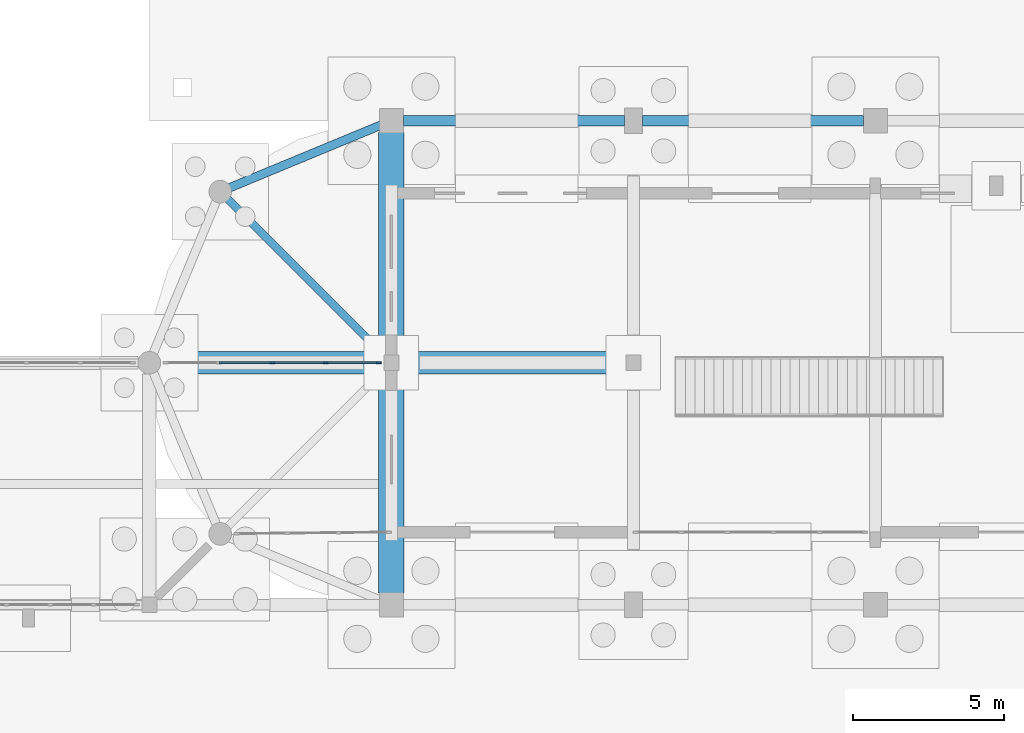
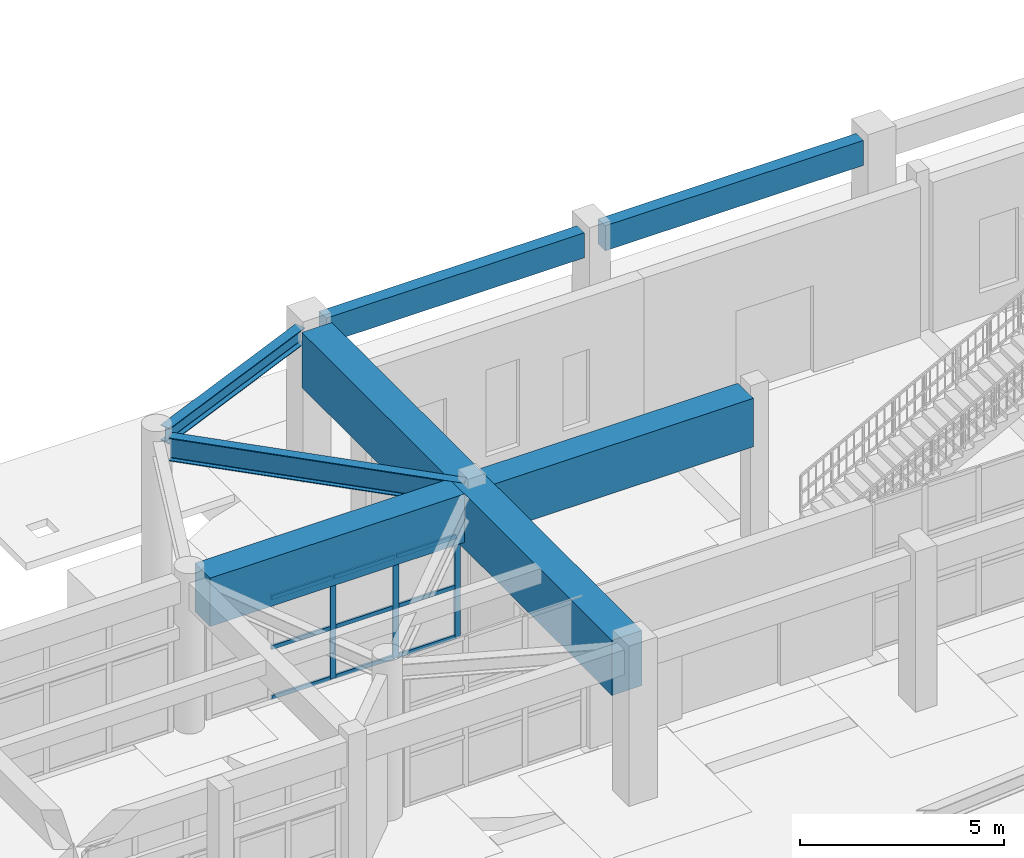
# One storey, part 28 of 68: 12 members, 6 beams, 1 element without a shape of its own.
"""IFC4 building model written with IfcOpenShell, lengths in metres."""

import ifcopenshell
import ifcopenshell.guid

model = None  # the IFC model being written
_history = None  # IfcOwnerHistory: only IFC2X3 demands one
_inside = {}  # id of a spatial element -> (the spatial element, [elements in it])
_under = {}  # id of a project, library or spatial element -> (it, [spatial elements below it])
_declared = {}  # id of a project -> (the project, [libraries it declares])
_typed = {}  # id of a type object -> (the type object, [elements of that type])
_made_of = {}  # id of a material, layer set ... -> (it, [elements and type objects made of it])


def new_model(schema):
    """Start an empty IFC model of exactly this schema.

    Asked for "IFC4X3", IfcOpenShell would pick the latest addendum, in which some entities
    have other attributes; the version numbers below select the first issue.
    IFC2X3 requires an IfcOwnerHistory on every rooted entity: one is made here for all.
    """
    global model, _history
    if schema == "IFC4X3":
        model = ifcopenshell.file(schema_version=(4, 3, 0, 0))
    else:
        model = ifcopenshell.file(schema=schema)
    _inside.clear()
    _under.clear()
    _declared.clear()
    _typed.clear()
    _made_of.clear()
    _history = None
    if model.schema == "IFC2X3":
        org = make("IfcOrganization", Name="unknown")
        user = make(
            "IfcPersonAndOrganization",
            ThePerson=make("IfcPerson", FamilyName="unknown"),
            TheOrganization=org,
        )
        app = make(
            "IfcApplication",
            ApplicationDeveloper=org,
            Version="unknown",
            ApplicationFullName="unknown",
            ApplicationIdentifier="unknown",
        )
        _history = make(
            "IfcOwnerHistory",
            OwningUser=user,
            OwningApplication=app,
            ChangeAction="ADDED",
            CreationDate=0,
        )
    return model


def make(cls, **values):
    """One entity of the class cls with the attributes given. An attribute that is None is left unset."""
    return model.create_entity(
        cls, **{name: value for name, value in values.items() if value is not None}
    )


def rooted(cls, **values):
    """An entity with a GlobalId (a new one), such as an element, a storey or a relation."""
    return make(cls, GlobalId=ifcopenshell.guid.new(), OwnerHistory=_history, **values)


def si_unit(unit_type, name, prefix=None):
    """IfcSIUnit, for example si_unit("LENGTHUNIT", "METRE", prefix="MILLI")."""
    return make("IfcSIUnit", UnitType=unit_type, Prefix=prefix, Name=name)


def assignment(units):
    """IfcUnitAssignment: the units of a project."""
    return None if units is None else make("IfcUnitAssignment", Units=units)


def point(xyz):
    """IfcCartesianPoint."""
    return None if xyz is None else make("IfcCartesianPoint", Coordinates=xyz)


def direction(xyz):
    """IfcDirection."""
    return None if xyz is None else make("IfcDirection", DirectionRatios=xyz)


def frame(location, z_axis=None, x_axis=None):
    """IfcAxis2Placement3D, a coordinate frame: its origin and axes. An axis left out is left unset."""
    return make(
        "IfcAxis2Placement3D",
        Location=point(location),
        Axis=direction(z_axis),
        RefDirection=direction(x_axis),
    )


def frame_2d(location, x_axis=None):
    """IfcAxis2Placement2D, a coordinate frame in the plane: its origin and x axis."""
    return make(
        "IfcAxis2Placement2D", Location=point(location), RefDirection=direction(x_axis)
    )


def origin():
    """The frame at (0, 0, 0) with its axes left unset."""
    return frame((0.0, 0.0, 0.0))


def origin_2d():
    """The frame at (0, 0) in the plane with its x axis left unset."""
    return frame_2d((0.0, 0.0))


def place(relative_to, where):
    """IfcLocalPlacement: puts the frame where relative to a parent placement (None: the world)."""
    return make(
        "IfcLocalPlacement", PlacementRelTo=relative_to, RelativePlacement=where
    )


def context(
    kind, dimensions, precision=None, world=None, true_north=None, identifier=None
):
    """IfcGeometricRepresentationContext, for example the 3D "Model" context."""
    return make(
        "IfcGeometricRepresentationContext",
        ContextIdentifier=identifier,
        ContextType=kind,
        CoordinateSpaceDimension=dimensions,
        Precision=precision,
        WorldCoordinateSystem=world,
        TrueNorth=true_north,
    )


def subcontext(parent, identifier, kind, view, scale=None):
    """IfcGeometricRepresentationSubContext, for example "Body" below "Model"."""
    return make(
        "IfcGeometricRepresentationSubContext",
        ContextIdentifier=identifier,
        ContextType=kind,
        ParentContext=parent,
        TargetScale=scale,
        TargetView=view,
    )


def project(units=None, contexts=None):
    """IfcProject with its units and contexts."""
    return rooted(
        "IfcProject",
        Name="project",
        RepresentationContexts=contexts,
        UnitsInContext=assignment(units),
    )


def spatial(cls, under=None, at=None, **own):
    """A site, building, storey or space (cls), placed at a placement, below another one or the project."""
    s = rooted(cls, ObjectPlacement=at, **own)
    if under is not None:
        _under.setdefault(under.id(), (under, []))[1].append(s)
    return s


def profile(cls, at=None, kind="AREA", **sizes):
    """A parametric profile (cls). Its sizes go by their IFC names, for example OverallWidth=200.0."""
    return make(cls, ProfileType=kind, Position=at, **sizes)


def rectangle(**sizes):
    """IfcRectangleProfileDef."""
    return profile("IfcRectangleProfileDef", **sizes)


def i_section(**sizes):
    """IfcIShapeProfileDef."""
    return profile("IfcIShapeProfileDef", **sizes)


def extrude(swept, where, along, depth):
    """IfcExtrudedAreaSolid: the profile swept, set in the frame where, extruded along a direction by depth."""
    return make(
        "IfcExtrudedAreaSolid",
        SweptArea=swept,
        Position=where,
        ExtrudedDirection=direction(along),
        Depth=depth,
    )


def shape(context_of_items, identifier, shape_type, items):
    """IfcShapeRepresentation: the items that make up one representation, for example the "Body"."""
    return make(
        "IfcShapeRepresentation",
        ContextOfItems=context_of_items,
        RepresentationIdentifier=identifier,
        RepresentationType=shape_type,
        Items=items,
    )


def material(Name=None, Category=None):
    """IfcMaterial."""
    return make("IfcMaterial", Name=Name, Category=Category)


def material_profile(
    of_material, cross_section, Name=None, Category=None, Priority=None
):
    """IfcMaterialProfile: a cross section and its material."""
    return make(
        "IfcMaterialProfile",
        Name=Name,
        Material=of_material,
        Profile=cross_section,
        Priority=Priority,
        Category=Category,
    )


def profile_set(profiles, Name=None, composite=None):
    """IfcMaterialProfileSet."""
    return make(
        "IfcMaterialProfileSet",
        Name=Name,
        MaterialProfiles=profiles,
        CompositeProfile=composite,
    )


def made_of(thing, what):
    """Note that an element or type object is made of a material, layer set ...; save() writes the relation."""
    if what is not None:
        _made_of.setdefault(what.id(), (what, []))[1].append(thing)
    return thing


def type_object(cls, material=None, **own):
    """A type object (cls), such as IfcWallType, which elements share."""
    return made_of(rooted(cls, **own), material)


def element(
    cls,
    number,
    at=None,
    inside=None,
    cuts=None,
    type_object=None,
    material=None,
    context=None,
    identifier="Body",
    shape_type=None,
    held_by="IfcProductDefinitionShape",
    body=None,
    shapes=None,
    **own,
):
    """One element of the class cls, such as IfcWall. Its Tag is "e" and its number.

    at: its placement. inside: the storey or other place that contains it. cuts: it is an
    opening in that element (IfcRelVoidsElement). A single representation is given by context,
    identifier, shape_type and body (its items); several are given by shapes. held_by: the class
    of the entity that holds the representations. save() writes the other relations.
    """
    e = rooted(cls, Tag="e%d" % number, ObjectPlacement=at, **own)
    if body is not None:
        shapes = [shape(context, identifier, shape_type, body)]
    if shapes is not None:
        e.Representation = make(held_by, Representations=shapes)
    if inside is not None:
        _inside.setdefault(inside.id(), (inside, []))[1].append(e)
    if cuts is not None:
        rooted(
            "IfcRelVoidsElement", RelatingBuildingElement=cuts, RelatedOpeningElement=e
        )
    if type_object is not None:
        _typed.setdefault(type_object.id(), (type_object, []))[1].append(e)
    return made_of(e, material)


def aggregate(whole, parts):
    """IfcRelAggregates: a whole, such as a stair, and the parts it consists of."""
    return rooted("IfcRelAggregates", RelatingObject=whole, RelatedObjects=parts)


def save(model, path):
    """Write the relations noted so far, then the file.

    IfcRelAggregates (storeys below a building ...), IfcRelContainedInSpatialStructure (elements
    in a storey), IfcRelDefinesByType, IfcRelAssociatesMaterial and IfcRelDeclares: one each for
    every whole, place, type object, material and project.
    """
    for whole, parts in _under.values():
        aggregate(whole, parts)
    for where, things in _inside.values():
        rooted(
            "IfcRelContainedInSpatialStructure",
            RelatedElements=things,
            RelatingStructure=where,
        )
    for kind, things in _typed.values():
        rooted("IfcRelDefinesByType", RelatedObjects=things, RelatingType=kind)
    for what, things in _made_of.values():
        rooted("IfcRelAssociatesMaterial", RelatedObjects=things, RelatingMaterial=what)
    for by, libraries in _declared.values():
        rooted("IfcRelDeclares", RelatingContext=by, RelatedDefinitions=libraries)
    model.write(path)


model = new_model("IFC4")

# Units and contexts
model_context = context("Model", 3, precision=1e-05, world=origin(), true_north=direction((0.0, 1.0)))
body_context = subcontext(model_context, "Body", "Model", "MODEL_VIEW")
ifc_project = project(units=[si_unit("LENGTHUNIT", "METRE"), si_unit("AREAUNIT", "SQUARE_METRE"), si_unit("VOLUMEUNIT", "CUBIC_METRE"), si_unit("PLANEANGLEUNIT", "RADIAN"), si_unit("MASSUNIT", "GRAM", prefix="KILO")], contexts=[model_context])

# Site, building, storey
site_placement = place(None, origin())
site = spatial("IfcSite", under=ifc_project, at=site_placement, CompositionType="ELEMENT")
building_placement = place(site_placement, origin())
building = spatial("IfcBuilding", under=site, at=building_placement, Name="Serraluz Foothill Cableway Terminal", CompositionType="ELEMENT")
storey_placement = place(building_placement, origin())
storey = spatial("IfcBuildingStorey", under=building, at=storey_placement, Name="L00", CompositionType="ELEMENT", Elevation=0.0)

# Beams
ifc_material_1 = material(Name="Concrete C35/45 (f'c 35 MPa)", Category="concrete")
ifc_material_profile_1 = material_profile(ifc_material_1, rectangle(XDim=0.75, YDim=1.449951171875, at=origin_2d()), Name="RC TG 750x1450")
ifc_profile_set_1 = profile_set([ifc_material_profile_1], Name="Concrete C35/45 (f'c 35 MPa)")
beam_type_1 = type_object("IfcBeamType", Name="TYP-BM-RCTG1450", PredefinedType="BEAM", material=ifc_profile_set_1)
beam_1_placement = place(storey_placement, frame((32.37109375, 64.0, 3.77490234375), z_axis=(1.0, 0.0, 0.0), x_axis=(0.0, 1.0, 0.0)))
element("IfcBeam", 1, at=beam_1_placement, inside=storey, type_object=beam_type_1, Name="Primary Girder BM-X-L00-0080", PredefinedType="BEAM", context=body_context, shape_type="SweptSolid", body=[
    extrude(rectangle(XDim=0.75, YDim=1.449951171875, at=origin_2d()), origin(), (0.0, 0.0, 1.0), 15.3828125),
])
ifc_material_profile_2 = material_profile(ifc_material_1, rectangle(XDim=0.85009765625, YDim=1.64990234375, at=origin_2d()), Name="RC TG 850x1650")
ifc_profile_set_2 = profile_set([ifc_material_profile_2], Name="Concrete C35/45 (f'c 35 MPa)")
beam_type_2 = type_object("IfcBeamType", Name="TYP-BM-RCTG1650", PredefinedType="BEAM", material=ifc_profile_set_2)
beam_2_placement = place(storey_placement, frame((40.0, 56.39599609375, 3.675048828125), z_axis=(0.0, 1.0, 0.0), x_axis=(-1.0, 0.0, 0.0)))
element("IfcBeam", 2, at=beam_2_placement, inside=storey, type_object=beam_type_2, Name="Transverse Girder BM-Y-L00-0129", PredefinedType="BEAM", context=body_context, shape_type="SweptSolid", body=[
    extrude(rectangle(XDim=0.85009765625, YDim=1.64990234375, at=origin_2d()), origin(), (0.0, 0.0, 1.0), 15.2080078125),
])
ifc_material_2 = material(Name="Steel ASTM A992 Grade 50", Category="steel")
ifc_material_profile_3 = material_profile(ifc_material_2, i_section(OverallWidth=0.256103515625, OverallDepth=0.693115234375, WebThickness=0.014404296875, FlangeThickness=0.023681640625, FilletRadius=0.02001953125, at=origin_2d()), Name="W27X114")
ifc_profile_set_3 = profile_set([ifc_material_profile_3], Name="Steel ASTM A992 Grade 50")
beam_type_3 = type_object("IfcBeamType", Name="TYP-BM-W27X114", PredefinedType="BEAM", material=ifc_profile_set_3)
beam_3_placement = place(storey_placement, frame((39.886962890625, 64.113037109375, 4.153564453125), z_axis=(-0.707106781187, 0.707106781187, 0.0), x_axis=(-0.707106781187, -0.707106781187, 0.0)))
element("IfcBeam", 3, at=beam_3_placement, inside=storey, type_object=beam_type_3, Name="Radial Station Deck Girder W-L00-2", PredefinedType="BEAM", context=body_context, shape_type="SweptSolid", body=[
    extrude(i_section(OverallWidth=0.256103515625, OverallDepth=0.693115234375, WebThickness=0.014404296875, FlangeThickness=0.023681640625, FilletRadius=0.02001953125, at=origin_2d()), origin(), (0.0, 0.0, 1.0), 7.500244140625),
])

# Curtain wall, members
ifc_material_3 = material(Name="Architectural bronze alloy C28000", Category="aluminium")
curtain_wall_type = type_object("IfcCurtainWallType", Name="TYP-CW-710X420", PredefinedType="NOTDEFINED", material=ifc_material_3)
curtain_wall_placement = place(storey_placement, origin())
curtain_wall = element("IfcCurtainWall", 4, at=curtain_wall_placement, inside=storey, type_object=curtain_wall_type, Name="Ribbed Glazed Curtain Wall CW-WLN-L00-32", PredefinedType="NOTDEFINED")
ifc_material_profile_4 = material_profile(ifc_material_3, rectangle(XDim=0.06005859375, YDim=0.159912109375, at=origin_2d()), Name="ALU MULLION 60x160")
ifc_profile_set_4 = profile_set([ifc_material_profile_4], Name="Architectural bronze alloy C28000")
member_type_1 = type_object("IfcMemberType", Name="TYP-CW-MUL-60X160", PredefinedType="MULLION", material=ifc_profile_set_4)
member_1_placement = place(storey_placement, frame((36.0625, 64.0, 0.0), z_axis=(0.0, 0.0, 1.0), x_axis=(0.0, 1.0, 0.0)))
member_1 = element("IfcMember", 5, at=member_1_placement, type_object=member_type_1, Name="CW-01 mullion 3", PredefinedType="MULLION", context=body_context, shape_type="SweptSolid", body=[
    extrude(rectangle(XDim=0.06005859375, YDim=0.159912109375, at=origin_2d()), origin(), (0.0, 0.0, 1.0), 3.050048828125),
])
member_2_placement = place(storey_placement, frame((37.836181640625, 64.0, 0.0), z_axis=(0.0, 0.0, 1.0), x_axis=(0.0, 1.0, 0.0)))
member_2 = element("IfcMember", 6, at=member_2_placement, type_object=member_type_1, Name="CW-01 mullion 4", PredefinedType="MULLION", context=body_context, shape_type="SweptSolid", body=[
    extrude(rectangle(XDim=0.06005859375, YDim=0.159912109375, at=origin_2d()), origin(), (0.0, 0.0, 1.0), 3.050048828125),
])
member_3_placement = place(storey_placement, frame((39.580078125, 64.0, 0.0), z_axis=(0.0, 0.0, 1.0), x_axis=(0.0, 1.0, 0.0)))
member_3 = element("IfcMember", 7, at=member_3_placement, type_object=member_type_1, Name="CW-01 mullion 5", PredefinedType="MULLION", context=body_context, shape_type="SweptSolid", body=[
    extrude(rectangle(XDim=0.06005859375, YDim=0.159912109375, at=origin_2d()), origin(), (0.0, 0.0, 1.0), 3.050048828125),
])
ifc_material_profile_5 = material_profile(ifc_material_3, rectangle(XDim=0.06005859375, YDim=0.1201171875, at=origin_2d()), Name="ALU TRANSOM 60x120")
ifc_profile_set_5 = profile_set([ifc_material_profile_5], Name="Architectural bronze alloy C28000")
member_type_2 = type_object("IfcMemberType", Name="TYP-CW-TRN-60X120", PredefinedType="USERDEFINED", material=ifc_profile_set_5)
member_4_placement = place(storey_placement, frame((34.31884765625, 64.0, 0.030029296875), z_axis=(1.0, 0.0, 0.0), x_axis=(0.0, 1.0, 0.0)))
member_4 = element("IfcMember", 8, at=member_4_placement, type_object=member_type_2, Name="CW-01 transom 2.1", ObjectType="TRANSOM", PredefinedType="USERDEFINED", context=body_context, shape_type="SweptSolid", body=[
    extrude(rectangle(XDim=0.06005859375, YDim=0.1201171875, at=origin_2d()), origin(), (0.0, 0.0, 1.0), 1.713623046875),
])
member_5_placement = place(storey_placement, frame((34.31884765625, 64.0, 1.52490234375), z_axis=(1.0, 0.0, 0.0), x_axis=(0.0, 1.0, 0.0)))
member_5 = element("IfcMember", 9, at=member_5_placement, type_object=member_type_2, Name="CW-01 transom 2.2", ObjectType="TRANSOM", PredefinedType="USERDEFINED", context=body_context, shape_type="SweptSolid", body=[
    extrude(rectangle(XDim=0.06005859375, YDim=0.1201171875, at=origin_2d()), origin(), (0.0, 0.0, 1.0), 1.713623046875),
])
member_6_placement = place(storey_placement, frame((34.31884765625, 64.0, 3.02001953125), z_axis=(1.0, 0.0, 0.0), x_axis=(0.0, 1.0, 0.0)))
member_6 = element("IfcMember", 10, at=member_6_placement, type_object=member_type_2, Name="CW-01 transom 2.3", ObjectType="TRANSOM", PredefinedType="USERDEFINED", context=body_context, shape_type="SweptSolid", body=[
    extrude(rectangle(XDim=0.06005859375, YDim=0.1201171875, at=origin_2d()), origin(), (0.0, 0.0, 1.0), 1.713623046875),
])
member_7_placement = place(storey_placement, frame((36.092529296875, 64.0, 0.030029296875), z_axis=(1.0, 0.0, 0.0), x_axis=(0.0, 1.0, 0.0)))
member_7 = element("IfcMember", 11, at=member_7_placement, type_object=member_type_2, Name="CW-01 transom 3.1", ObjectType="TRANSOM", PredefinedType="USERDEFINED", context=body_context, shape_type="SweptSolid", body=[
    extrude(rectangle(XDim=0.06005859375, YDim=0.1201171875, at=origin_2d()), origin(), (0.0, 0.0, 1.0), 1.713623046875),
])
member_8_placement = place(storey_placement, frame((36.092529296875, 64.0, 1.52490234375), z_axis=(1.0, 0.0, 0.0), x_axis=(0.0, 1.0, 0.0)))
member_8 = element("IfcMember", 12, at=member_8_placement, type_object=member_type_2, Name="CW-01 transom 3.2", ObjectType="TRANSOM", PredefinedType="USERDEFINED", context=body_context, shape_type="SweptSolid", body=[
    extrude(rectangle(XDim=0.06005859375, YDim=0.1201171875, at=origin_2d()), origin(), (0.0, 0.0, 1.0), 1.713623046875),
])
member_9_placement = place(storey_placement, frame((36.092529296875, 64.0, 3.02001953125), z_axis=(1.0, 0.0, 0.0), x_axis=(0.0, 1.0, 0.0)))
member_9 = element("IfcMember", 13, at=member_9_placement, type_object=member_type_2, Name="CW-01 transom 3.3", ObjectType="TRANSOM", PredefinedType="USERDEFINED", context=body_context, shape_type="SweptSolid", body=[
    extrude(rectangle(XDim=0.06005859375, YDim=0.1201171875, at=origin_2d()), origin(), (0.0, 0.0, 1.0), 1.713623046875),
])
member_10_placement = place(storey_placement, frame((37.8662109375, 64.0, 0.030029296875), z_axis=(1.0, 0.0, 0.0), x_axis=(0.0, 1.0, 0.0)))
member_10 = element("IfcMember", 14, at=member_10_placement, type_object=member_type_2, Name="CW-01 transom 4.1", ObjectType="TRANSOM", PredefinedType="USERDEFINED", context=body_context, shape_type="SweptSolid", body=[
    extrude(rectangle(XDim=0.06005859375, YDim=0.1201171875, at=origin_2d()), origin(), (0.0, 0.0, 1.0), 1.683837890625),
])
member_11_placement = place(storey_placement, frame((37.8662109375, 64.0, 1.52490234375), z_axis=(1.0, 0.0, 0.0), x_axis=(0.0, 1.0, 0.0)))
member_11 = element("IfcMember", 15, at=member_11_placement, type_object=member_type_2, Name="CW-01 transom 4.2", ObjectType="TRANSOM", PredefinedType="USERDEFINED", context=body_context, shape_type="SweptSolid", body=[
    extrude(rectangle(XDim=0.06005859375, YDim=0.1201171875, at=origin_2d()), origin(), (0.0, 0.0, 1.0), 1.683837890625),
])
member_12_placement = place(storey_placement, frame((37.8662109375, 64.0, 3.02001953125), z_axis=(1.0, 0.0, 0.0), x_axis=(0.0, 1.0, 0.0)))
member_12 = element("IfcMember", 16, at=member_12_placement, type_object=member_type_2, Name="CW-01 transom 4.3", ObjectType="TRANSOM", PredefinedType="USERDEFINED", context=body_context, shape_type="SweptSolid", body=[
    extrude(rectangle(XDim=0.06005859375, YDim=0.1201171875, at=origin_2d()), origin(), (0.0, 0.0, 1.0), 1.683837890625),
])
aggregate(curtain_wall, [member_1, member_2, member_3, member_4, member_5, member_6, member_7, member_8, member_9, member_10, member_11, member_12])

# Beams
ifc_material_4 = material(Name="Precast concrete C40/50", Category="concrete")
ifc_material_profile_6 = material_profile(ifc_material_4, rectangle(XDim=0.35009765625, YDim=0.75, at=origin_2d()), Name="RC SP 350x750")
ifc_profile_set_6 = profile_set([ifc_material_profile_6], Name="Precast concrete C40/50")
beam_type_4 = type_object("IfcBeamType", Name="TYP-SP-RC350X750", PredefinedType="SPANDREL", material=ifc_profile_set_6)
for number, where, z_axis, x_axis, name in (
    (17, (40.39599609375, 72.0, 4.125), (1.0, 0.0, 0.0), (0.0, 1.0, 0.0), "Primary Girder BM-X-L00-0081"),
    (18, (48.2958984375, 72.0, 4.125), (1.0, 0.0, 0.0), (0.0, 1.0, 0.0), "Primary Girder BM-X-L00-0082"),
):
    element("IfcBeam", number, at=place(storey_placement, frame(where, z_axis=z_axis, x_axis=x_axis)), inside=storey, type_object=beam_type_4, Name=name, PredefinedType="SPANDREL", context=body_context, shape_type="SweptSolid", body=[
        extrude(rectangle(XDim=0.35009765625, YDim=0.75, at=origin_2d()), origin(), (0.0, 0.0, 1.0), 7.30810546875),
    ])
ifc_material_profile_7 = material_profile(ifc_material_2, i_section(OverallWidth=0.282958984375, OverallDepth=0.471923828125, WebThickness=0.013671875, FlangeThickness=0.022216796875, FilletRadius=0.014892578125, at=origin_2d()), Name="W18X97")
ifc_profile_set_7 = profile_set([ifc_material_profile_7], Name="Steel ASTM A992 Grade 50")
beam_type_5 = type_object("IfcBeamType", Name="TYP-SP-W18X97", PredefinedType="SPANDREL", material=ifc_profile_set_7)
beam_4_placement = place(storey_placement, frame((34.6572265625, 69.787109375, 4.263916015625), z_axis=(0.923888361565, 0.382662116449, 0.0), x_axis=(-0.382662116449, 0.923888361565, 0.0)))
element("IfcBeam", 19, at=beam_4_placement, inside=storey, type_object=beam_type_5, Name="Curved End Ring Beam W-L00-4", PredefinedType="SPANDREL", context=body_context, shape_type="SweptSolid", body=[
    extrude(i_section(OverallWidth=0.282958984375, OverallDepth=0.471923828125, WebThickness=0.013671875, FlangeThickness=0.022216796875, FilletRadius=0.014892578125, at=origin_2d()), origin(), (0.0, 0.0, 1.0), 5.44287109375),
])

save(model, "model.ifc")
